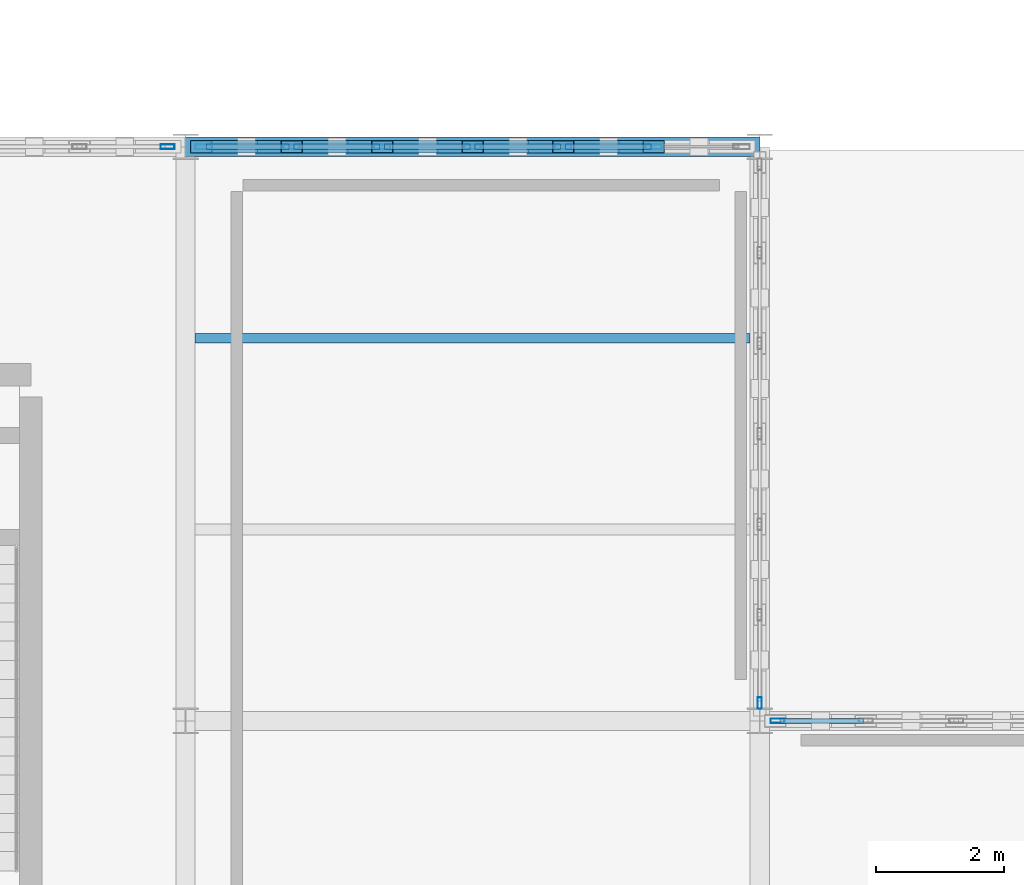
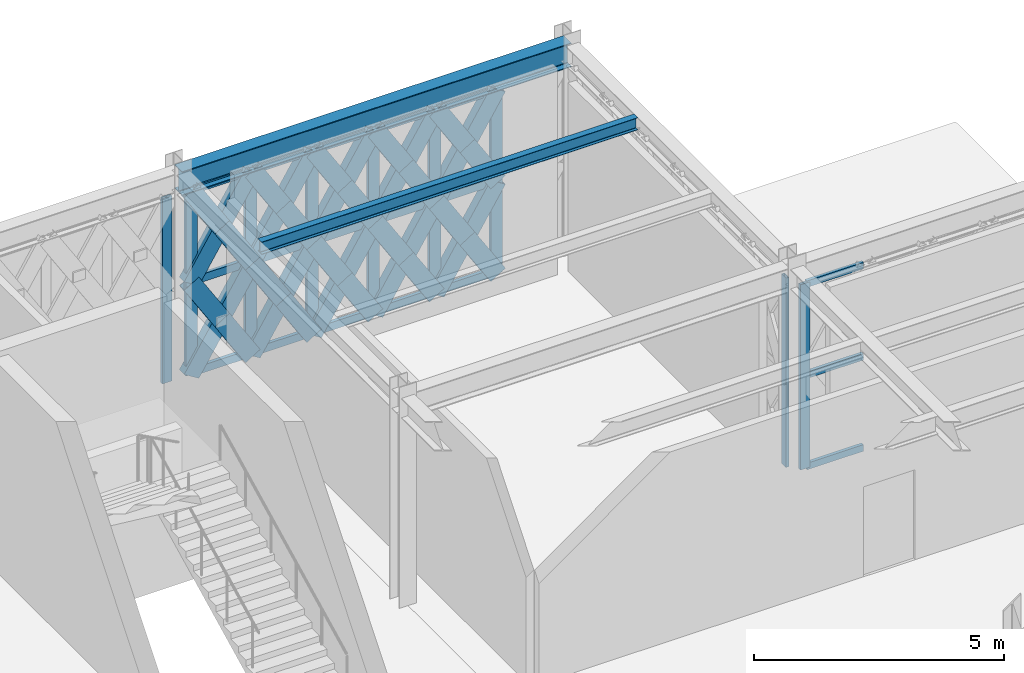
# One storey, part 96 of 140: 57 members, 2 beams, 4 elements without a shape of their own.
"""IFC4 building model written with IfcOpenShell, lengths in metres."""

from ifc_helpers import new_model, si_unit, direction, frame, origin, origin_2d, place, context, subcontext, project, spatial, hollow_rectangle, i_section, extrude, material, material_profile, profile_set, type_object, element, aggregate, save


model = new_model("IFC4")

# Units and contexts
model_context = context("Model", 3, precision=1e-05, world=origin(), true_north=direction((0.0, 1.0)))
body_context = subcontext(model_context, "Body", "Model", "MODEL_VIEW")
ifc_project = project(units=[si_unit("LENGTHUNIT", "METRE"), si_unit("AREAUNIT", "SQUARE_METRE"), si_unit("VOLUMEUNIT", "CUBIC_METRE"), si_unit("PLANEANGLEUNIT", "RADIAN"), si_unit("MASSUNIT", "GRAM", prefix="KILO")], contexts=[model_context])

# Site, building, storey
site_placement = place(None, origin())
site = spatial("IfcSite", under=ifc_project, at=site_placement, CompositionType="ELEMENT")
building_placement = place(site_placement, origin())
building = spatial("IfcBuilding", under=site, at=building_placement, Name="Haizhuo Lancet Aquarium", CompositionType="ELEMENT")
storey_placement = place(building_placement, origin())
storey = spatial("IfcBuildingStorey", under=building, at=storey_placement, Name="L00", CompositionType="ELEMENT", Elevation=0.0)

# Beam
ifc_material_1 = material(Name="Steel S355", Category="steel")
ifc_material_profile_1 = material_profile(ifc_material_1, i_section(OverallWidth=0.300048828125, OverallDepth=0.587890625, WebThickness=0.011962890625, FlangeThickness=0.02001953125, FilletRadius=0.02587890625, at=origin_2d()), Name="HM 588x300x12x20")
ifc_profile_set_1 = profile_set([ifc_material_profile_1], Name="Steel S355")
beam_type_1 = type_object("IfcBeamType", Name="BM-ST-HM588", PredefinedType="BEAM", material=ifc_profile_set_1)
beam_1_placement = place(storey_placement, frame((54.0, 36.0, 4.825927734375), z_axis=(1.0, 0.0, 0.0), x_axis=(0.0, 1.0, 0.0)))
element("IfcBeam", 1, at=beam_1_placement, inside=storey, type_object=beam_type_1, Name="L00 V7 primary girder BM-L00-V7-017", PredefinedType="BEAM", context=body_context, shape_type="SweptSolid", body=[
    extrude(i_section(OverallWidth=0.300048828125, OverallDepth=0.587890625, WebThickness=0.011962890625, FlangeThickness=0.02001953125, FilletRadius=0.02587890625, at=origin_2d()), origin(), (0.0, 0.0, 1.0), 9.0),
])

# Curtain wall, member
ifc_material_2 = material(Name="Aluminium 6063-T6", Category="aluminium")
curtain_wall_type_1 = type_object("IfcCurtainWallType", Name="CWD-8510x4630", PredefinedType="NOTDEFINED", material=ifc_material_2)
curtain_wall_1_placement = place(storey_placement, origin())
curtain_wall_1 = element("IfcCurtainWall", 2, at=curtain_wall_1_placement, inside=storey, type_object=curtain_wall_type_1, Name="L00 curtain wall CW-V7-L00-274", PredefinedType="NOTDEFINED")
ifc_material_profile_2 = material_profile(ifc_material_2, hollow_rectangle(XDim=0.06494140625, YDim=0.179931640625, WallThickness=0.00390625, at=origin_2d()), Name="ALU-M 65x180x4")
ifc_profile_set_2 = profile_set([ifc_material_profile_2], Name="Aluminium 6063-T6")
member_type_1 = type_object("IfcMemberType", Name="CW-MUL-1", PredefinedType="MULLION", material=ifc_profile_set_2)
member_1_placement = place(storey_placement, frame((63.0, 27.278076171875, 0.0), z_axis=(0.0, 0.0, 1.0), x_axis=(1.0, 0.0, 0.0)))
member_1 = element("IfcMember", 3, at=member_1_placement, type_object=member_type_1, Name="CWD-85x46 mullion 7", PredefinedType="MULLION", context=body_context, shape_type="SweptSolid", body=[
    extrude(hollow_rectangle(XDim=0.06494140625, YDim=0.179931640625, WallThickness=0.00390625, at=origin_2d()), origin(), (0.0, 0.0, 1.0), 4.632080078125),
])
aggregate(curtain_wall_1, [member_1])

curtain_wall_type_2 = type_object("IfcCurtainWallType", Name="CWD-8510x4530", PredefinedType="NOTDEFINED", material=ifc_material_2)
curtain_wall_2_placement = place(storey_placement, origin())
curtain_wall_2 = element("IfcCurtainWall", 4, at=curtain_wall_2_placement, inside=storey, type_object=curtain_wall_type_2, Name="L00 curtain wall CW-V7-L00-272", PredefinedType="NOTDEFINED")
ifc_material_profile_3 = material_profile(ifc_material_2, hollow_rectangle(XDim=0.074951171875, YDim=0.219970703125, WallThickness=0.0048828125, at=origin_2d()), Name="ALU-M 75x220x5")
ifc_profile_set_3 = profile_set([ifc_material_profile_3], Name="Aluminium 6063-T6")
member_type_2 = type_object("IfcMemberType", Name="CW-MUL-2", PredefinedType="MULLION", material=ifc_profile_set_3)
member_2_placement = place(storey_placement, frame((53.718017578125, 36.0, 0.0), z_axis=(0.0, 0.0, 1.0), x_axis=(0.0, 1.0, 0.0)))
member_2 = element("IfcMember", 5, at=member_2_placement, type_object=member_type_2, Name="CWD-85x45 mullion 7", PredefinedType="MULLION", context=body_context, shape_type="SweptSolid", body=[
    extrude(hollow_rectangle(XDim=0.074951171875, YDim=0.219970703125, WallThickness=0.0048828125, at=origin_2d()), origin(), (0.0, 0.0, 1.0), 4.531982421875),
])
aggregate(curtain_wall_2, [member_2])

curtain_wall_3_placement = place(storey_placement, origin())
curtain_wall_3 = element("IfcCurtainWall", 6, at=curtain_wall_3_placement, inside=storey, type_object=curtain_wall_type_2, Name="L00 curtain wall CW-V7-L00-275", PredefinedType="NOTDEFINED")
member_3_placement = place(storey_placement, frame((63.281982421875, 27.0, 0.0), z_axis=(0.0, 0.0, 1.0), x_axis=(0.0, 1.0, 0.0)))
member_3 = element("IfcMember", 7, at=member_3_placement, type_object=member_type_2, Name="CWD-85x45 mullion 1", PredefinedType="MULLION", context=body_context, shape_type="SweptSolid", body=[
    extrude(hollow_rectangle(XDim=0.074951171875, YDim=0.219970703125, WallThickness=0.0048828125, at=origin_2d()), origin(), (0.0, 0.0, 1.0), 4.531982421875),
])

# Curtain wall, members
curtain_wall_4_placement = place(storey_placement, origin())
curtain_wall_4 = element("IfcCurtainWall", 8, at=curtain_wall_4_placement, inside=storey, type_object=curtain_wall_type_2, Name="L00 curtain wall CW-V7-L00-273", PredefinedType="NOTDEFINED")
ifc_material_profile_4 = material_profile(ifc_material_2, hollow_rectangle(XDim=0.080078125, YDim=0.260009765625, WallThickness=0.0048828125, at=origin_2d()), Name="ALU-M 80x260x5")
ifc_profile_set_4 = profile_set([ifc_material_profile_4], Name="Aluminium 6063-T6")
member_type_3 = type_object("IfcMemberType", Name="CW-MUL-3", PredefinedType="MULLION", material=ifc_profile_set_4)
member_4_placement = place(storey_placement, frame((54.284912109375, 36.0, 0.0), z_axis=(0.0, 0.0, 1.0), x_axis=(0.0, 1.0, 0.0)))
member_4 = element("IfcMember", 9, at=member_4_placement, type_object=member_type_3, Name="CWD-85x45 mullion 1", PredefinedType="MULLION", context=body_context, shape_type="SweptSolid", body=[
    extrude(hollow_rectangle(XDim=0.080078125, YDim=0.260009765625, WallThickness=0.0048828125, at=origin_2d()), origin(), (0.0, 0.0, 1.0), 4.531982421875),
])
member_5_placement = place(storey_placement, frame((55.6630859375, 36.0, 0.0), z_axis=(0.0, 0.0, 1.0), x_axis=(0.0, 1.0, 0.0)))
member_5 = element("IfcMember", 10, at=member_5_placement, type_object=member_type_3, Name="CWD-85x45 mullion 2", PredefinedType="MULLION", context=body_context, shape_type="SweptSolid", body=[
    extrude(hollow_rectangle(XDim=0.080078125, YDim=0.260009765625, WallThickness=0.0048828125, at=origin_2d()), origin(), (0.0, 0.0, 1.0), 4.531982421875),
])
member_6_placement = place(storey_placement, frame((57.08203125, 36.0, 0.0), z_axis=(0.0, 0.0, 1.0), x_axis=(0.0, 1.0, 0.0)))
member_6 = element("IfcMember", 11, at=member_6_placement, type_object=member_type_3, Name="CWD-85x45 mullion 3", PredefinedType="MULLION", context=body_context, shape_type="SweptSolid", body=[
    extrude(hollow_rectangle(XDim=0.080078125, YDim=0.260009765625, WallThickness=0.0048828125, at=origin_2d()), origin(), (0.0, 0.0, 1.0), 4.531982421875),
])
member_7_placement = place(storey_placement, frame((58.5, 36.0, 0.0), z_axis=(0.0, 0.0, 1.0), x_axis=(0.0, 1.0, 0.0)))
member_7 = element("IfcMember", 12, at=member_7_placement, type_object=member_type_3, Name="CWD-85x45 mullion 4", PredefinedType="MULLION", context=body_context, shape_type="SweptSolid", body=[
    extrude(hollow_rectangle(XDim=0.080078125, YDim=0.260009765625, WallThickness=0.0048828125, at=origin_2d()), origin(), (0.0, 0.0, 1.0), 4.531982421875),
])
member_8_placement = place(storey_placement, frame((59.91796875, 36.0, 0.0), z_axis=(0.0, 0.0, 1.0), x_axis=(0.0, 1.0, 0.0)))
member_8 = element("IfcMember", 13, at=member_8_placement, type_object=member_type_3, Name="CWD-85x45 mullion 5", PredefinedType="MULLION", context=body_context, shape_type="SweptSolid", body=[
    extrude(hollow_rectangle(XDim=0.080078125, YDim=0.260009765625, WallThickness=0.0048828125, at=origin_2d()), origin(), (0.0, 0.0, 1.0), 4.531982421875),
])
member_9_placement = place(storey_placement, frame((61.3369140625, 36.0, 0.0), z_axis=(0.0, 0.0, 1.0), x_axis=(0.0, 1.0, 0.0)))
member_9 = element("IfcMember", 14, at=member_9_placement, type_object=member_type_3, Name="CWD-85x45 mullion 6", PredefinedType="MULLION", context=body_context, shape_type="SweptSolid", body=[
    extrude(hollow_rectangle(XDim=0.080078125, YDim=0.260009765625, WallThickness=0.0048828125, at=origin_2d()), origin(), (0.0, 0.0, 1.0), 4.531982421875),
])

# Member
ifc_material_profile_5 = material_profile(ifc_material_2, hollow_rectangle(XDim=0.074951171875, YDim=0.159912109375, WallThickness=0.00390625, at=origin_2d()), Name="ALU-T 75x160x4")
ifc_profile_set_5 = profile_set([ifc_material_profile_5], Name="Aluminium 6063-T6")
member_type_4 = type_object("IfcMemberType", Name="CW-TRN-2", PredefinedType="NOTDEFINED", material=ifc_profile_set_5)
member_10_placement = place(storey_placement, frame((63.320068359375, 27.0, 0.037109375), z_axis=(1.0, 0.0, 0.0), x_axis=(0.0, 1.0, 0.0)))
member_10 = element("IfcMember", 15, at=member_10_placement, type_object=member_type_4, Name="CWD-85x45 transom 1.1", ObjectType="TRANSOM", PredefinedType="USERDEFINED", context=body_context, shape_type="SweptSolid", body=[
    extrude(hollow_rectangle(XDim=0.074951171875, YDim=0.159912109375, WallThickness=0.00390625, at=origin_2d()), origin(), (0.0, 0.0, 1.0), 1.305908203125),
])

member_11_placement = place(storey_placement, frame((63.320068359375, 27.0, 2.26611328125), z_axis=(1.0, 0.0, 0.0), x_axis=(0.0, 1.0, 0.0)))
member_11 = element("IfcMember", 16, at=member_11_placement, type_object=member_type_4, Name="CWD-85x45 transom 1.2", ObjectType="TRANSOM", PredefinedType="USERDEFINED", context=body_context, shape_type="SweptSolid", body=[
    extrude(hollow_rectangle(XDim=0.074951171875, YDim=0.159912109375, WallThickness=0.00390625, at=origin_2d()), origin(), (0.0, 0.0, 1.0), 1.305908203125),
])

member_12_placement = place(storey_placement, frame((63.320068359375, 27.0, 4.4951171875), z_axis=(1.0, 0.0, 0.0), x_axis=(0.0, 1.0, 0.0)))
member_12 = element("IfcMember", 17, at=member_12_placement, type_object=member_type_4, Name="CWD-85x45 transom 1.3", ObjectType="TRANSOM", PredefinedType="USERDEFINED", context=body_context, shape_type="SweptSolid", body=[
    extrude(hollow_rectangle(XDim=0.074951171875, YDim=0.159912109375, WallThickness=0.00390625, at=origin_2d()), origin(), (0.0, 0.0, 1.0), 1.305908203125),
])

aggregate(curtain_wall_3, [member_3, member_10, member_11, member_12])

ifc_material_profile_6 = material_profile(ifc_material_2, hollow_rectangle(XDim=0.080078125, YDim=0.18994140625, WallThickness=0.0048828125, at=origin_2d()), Name="ALU-T 80x190x5")
ifc_profile_set_6 = profile_set([ifc_material_profile_6], Name="Aluminium 6063-T6")
member_type_5 = type_object("IfcMemberType", Name="CW-TRN-3", PredefinedType="NOTDEFINED", material=ifc_profile_set_6)
member_13_placement = place(storey_placement, frame((54.324951171875, 36.0, 0.0400390625), z_axis=(1.0, 0.0, 0.0), x_axis=(0.0, 1.0, 0.0)))
member_13 = element("IfcMember", 18, at=member_13_placement, type_object=member_type_5, Name="CWD-85x45 transom 1.1", ObjectType="TRANSOM", PredefinedType="USERDEFINED", context=body_context, shape_type="SweptSolid", body=[
    extrude(hollow_rectangle(XDim=0.080078125, YDim=0.18994140625, WallThickness=0.0048828125, at=origin_2d()), origin(), (0.0, 0.0, 1.0), 1.298095703125),
])

member_14_placement = place(storey_placement, frame((54.324951171875, 36.0, 2.26611328125), z_axis=(1.0, 0.0, 0.0), x_axis=(0.0, 1.0, 0.0)))
member_14 = element("IfcMember", 19, at=member_14_placement, type_object=member_type_5, Name="CWD-85x45 transom 1.2", ObjectType="TRANSOM", PredefinedType="USERDEFINED", context=body_context, shape_type="SweptSolid", body=[
    extrude(hollow_rectangle(XDim=0.080078125, YDim=0.18994140625, WallThickness=0.0048828125, at=origin_2d()), origin(), (0.0, 0.0, 1.0), 1.298095703125),
])

member_15_placement = place(storey_placement, frame((54.324951171875, 36.0, 4.491943359375), z_axis=(1.0, 0.0, 0.0), x_axis=(0.0, 1.0, 0.0)))
member_15 = element("IfcMember", 20, at=member_15_placement, type_object=member_type_5, Name="CWD-85x45 transom 1.3", ObjectType="TRANSOM", PredefinedType="USERDEFINED", context=body_context, shape_type="SweptSolid", body=[
    extrude(hollow_rectangle(XDim=0.080078125, YDim=0.18994140625, WallThickness=0.0048828125, at=origin_2d()), origin(), (0.0, 0.0, 1.0), 1.298095703125),
])

member_16_placement = place(storey_placement, frame((55.702880859375, 36.0, 0.0400390625), z_axis=(1.0, 0.0, 0.0), x_axis=(0.0, 1.0, 0.0)))
member_16 = element("IfcMember", 21, at=member_16_placement, type_object=member_type_5, Name="CWD-85x45 transom 2.1", ObjectType="TRANSOM", PredefinedType="USERDEFINED", context=body_context, shape_type="SweptSolid", body=[
    extrude(hollow_rectangle(XDim=0.080078125, YDim=0.18994140625, WallThickness=0.0048828125, at=origin_2d()), origin(), (0.0, 0.0, 1.0), 1.339111328125),
])

member_17_placement = place(storey_placement, frame((55.702880859375, 36.0, 2.26611328125), z_axis=(1.0, 0.0, 0.0), x_axis=(0.0, 1.0, 0.0)))
member_17 = element("IfcMember", 22, at=member_17_placement, type_object=member_type_5, Name="CWD-85x45 transom 2.2", ObjectType="TRANSOM", PredefinedType="USERDEFINED", context=body_context, shape_type="SweptSolid", body=[
    extrude(hollow_rectangle(XDim=0.080078125, YDim=0.18994140625, WallThickness=0.0048828125, at=origin_2d()), origin(), (0.0, 0.0, 1.0), 1.339111328125),
])

member_18_placement = place(storey_placement, frame((55.702880859375, 36.0, 4.491943359375), z_axis=(1.0, 0.0, 0.0), x_axis=(0.0, 1.0, 0.0)))
member_18 = element("IfcMember", 23, at=member_18_placement, type_object=member_type_5, Name="CWD-85x45 transom 2.3", ObjectType="TRANSOM", PredefinedType="USERDEFINED", context=body_context, shape_type="SweptSolid", body=[
    extrude(hollow_rectangle(XDim=0.080078125, YDim=0.18994140625, WallThickness=0.0048828125, at=origin_2d()), origin(), (0.0, 0.0, 1.0), 1.339111328125),
])

member_19_placement = place(storey_placement, frame((57.1220703125, 36.0, 0.0400390625), z_axis=(1.0, 0.0, 0.0), x_axis=(0.0, 1.0, 0.0)))
member_19 = element("IfcMember", 24, at=member_19_placement, type_object=member_type_5, Name="CWD-85x45 transom 3.1", ObjectType="TRANSOM", PredefinedType="USERDEFINED", context=body_context, shape_type="SweptSolid", body=[
    extrude(hollow_rectangle(XDim=0.080078125, YDim=0.18994140625, WallThickness=0.0048828125, at=origin_2d()), origin(), (0.0, 0.0, 1.0), 1.337890625),
])

member_20_placement = place(storey_placement, frame((57.1220703125, 36.0, 2.26611328125), z_axis=(1.0, 0.0, 0.0), x_axis=(0.0, 1.0, 0.0)))
member_20 = element("IfcMember", 25, at=member_20_placement, type_object=member_type_5, Name="CWD-85x45 transom 3.2", ObjectType="TRANSOM", PredefinedType="USERDEFINED", context=body_context, shape_type="SweptSolid", body=[
    extrude(hollow_rectangle(XDim=0.080078125, YDim=0.18994140625, WallThickness=0.0048828125, at=origin_2d()), origin(), (0.0, 0.0, 1.0), 1.337890625),
])

member_21_placement = place(storey_placement, frame((57.1220703125, 36.0, 4.491943359375), z_axis=(1.0, 0.0, 0.0), x_axis=(0.0, 1.0, 0.0)))
member_21 = element("IfcMember", 26, at=member_21_placement, type_object=member_type_5, Name="CWD-85x45 transom 3.3", ObjectType="TRANSOM", PredefinedType="USERDEFINED", context=body_context, shape_type="SweptSolid", body=[
    extrude(hollow_rectangle(XDim=0.080078125, YDim=0.18994140625, WallThickness=0.0048828125, at=origin_2d()), origin(), (0.0, 0.0, 1.0), 1.337890625),
])

member_22_placement = place(storey_placement, frame((58.5400390625, 36.0, 0.0400390625), z_axis=(1.0, 0.0, 0.0), x_axis=(0.0, 1.0, 0.0)))
member_22 = element("IfcMember", 27, at=member_22_placement, type_object=member_type_5, Name="CWD-85x45 transom 4.1", ObjectType="TRANSOM", PredefinedType="USERDEFINED", context=body_context, shape_type="SweptSolid", body=[
    extrude(hollow_rectangle(XDim=0.080078125, YDim=0.18994140625, WallThickness=0.0048828125, at=origin_2d()), origin(), (0.0, 0.0, 1.0), 1.337890625),
])

member_23_placement = place(storey_placement, frame((58.5400390625, 36.0, 2.26611328125), z_axis=(1.0, 0.0, 0.0), x_axis=(0.0, 1.0, 0.0)))
member_23 = element("IfcMember", 28, at=member_23_placement, type_object=member_type_5, Name="CWD-85x45 transom 4.2", ObjectType="TRANSOM", PredefinedType="USERDEFINED", context=body_context, shape_type="SweptSolid", body=[
    extrude(hollow_rectangle(XDim=0.080078125, YDim=0.18994140625, WallThickness=0.0048828125, at=origin_2d()), origin(), (0.0, 0.0, 1.0), 1.337890625),
])

member_24_placement = place(storey_placement, frame((58.5400390625, 36.0, 4.491943359375), z_axis=(1.0, 0.0, 0.0), x_axis=(0.0, 1.0, 0.0)))
member_24 = element("IfcMember", 29, at=member_24_placement, type_object=member_type_5, Name="CWD-85x45 transom 4.3", ObjectType="TRANSOM", PredefinedType="USERDEFINED", context=body_context, shape_type="SweptSolid", body=[
    extrude(hollow_rectangle(XDim=0.080078125, YDim=0.18994140625, WallThickness=0.0048828125, at=origin_2d()), origin(), (0.0, 0.0, 1.0), 1.337890625),
])

member_25_placement = place(storey_placement, frame((59.9580078125, 36.0, 0.0400390625), z_axis=(1.0, 0.0, 0.0), x_axis=(0.0, 1.0, 0.0)))
member_25 = element("IfcMember", 30, at=member_25_placement, type_object=member_type_5, Name="CWD-85x45 transom 5.1", ObjectType="TRANSOM", PredefinedType="USERDEFINED", context=body_context, shape_type="SweptSolid", body=[
    extrude(hollow_rectangle(XDim=0.080078125, YDim=0.18994140625, WallThickness=0.0048828125, at=origin_2d()), origin(), (0.0, 0.0, 1.0), 1.339111328125),
])

member_26_placement = place(storey_placement, frame((59.9580078125, 36.0, 2.26611328125), z_axis=(1.0, 0.0, 0.0), x_axis=(0.0, 1.0, 0.0)))
member_26 = element("IfcMember", 31, at=member_26_placement, type_object=member_type_5, Name="CWD-85x45 transom 5.2", ObjectType="TRANSOM", PredefinedType="USERDEFINED", context=body_context, shape_type="SweptSolid", body=[
    extrude(hollow_rectangle(XDim=0.080078125, YDim=0.18994140625, WallThickness=0.0048828125, at=origin_2d()), origin(), (0.0, 0.0, 1.0), 1.339111328125),
])

member_27_placement = place(storey_placement, frame((59.9580078125, 36.0, 4.491943359375), z_axis=(1.0, 0.0, 0.0), x_axis=(0.0, 1.0, 0.0)))
member_27 = element("IfcMember", 32, at=member_27_placement, type_object=member_type_5, Name="CWD-85x45 transom 5.3", ObjectType="TRANSOM", PredefinedType="USERDEFINED", context=body_context, shape_type="SweptSolid", body=[
    extrude(hollow_rectangle(XDim=0.080078125, YDim=0.18994140625, WallThickness=0.0048828125, at=origin_2d()), origin(), (0.0, 0.0, 1.0), 1.339111328125),
])

aggregate(curtain_wall_4, [member_4, member_5, member_6, member_7, member_8, member_9, member_13, member_14, member_15, member_16, member_17, member_18, member_19, member_20, member_21, member_22, member_23, member_24, member_25, member_26, member_27])

# Beam
ifc_material_profile_7 = material_profile(ifc_material_1, i_section(OverallWidth=0.14990234375, OverallDepth=0.300048828125, WebThickness=0.006591796875, FlangeThickness=0.009033203125, FilletRadius=0.012939453125, at=origin_2d()), Name="HN 300x150x6.5x9")
ifc_profile_set_7 = profile_set([ifc_material_profile_7], Name="Steel S355")
beam_type_2 = type_object("IfcBeamType", Name="JST-ST-HN300", PredefinedType="JOIST", material=ifc_profile_set_7)
beam_2_placement = place(storey_placement, frame((54.14990234375, 33.0, 4.969970703125), z_axis=(1.0, 0.0, 0.0), x_axis=(0.0, 1.0, 0.0)))
element("IfcBeam", 33, at=beam_2_placement, inside=storey, type_object=beam_type_2, Name="L00 V7 secondary floor joist 8", PredefinedType="JOIST", context=body_context, shape_type="SweptSolid", body=[
    extrude(i_section(OverallWidth=0.14990234375, OverallDepth=0.300048828125, WebThickness=0.006591796875, FlangeThickness=0.009033203125, FilletRadius=0.012939453125, at=origin_2d()), origin(), (0.0, 0.0, 1.0), 8.7001953125),
])

# Members
ifc_material_profile_8 = material_profile(ifc_material_1, hollow_rectangle(XDim=0.199951171875, YDim=0.39990234375, WallThickness=0.011962890625, at=origin_2d()), Name="RHS 200x400x12")
ifc_profile_set_8 = profile_set([ifc_material_profile_8], Name="Steel S355")
member_type_6 = type_object("IfcMemberType", Name="MEM-LB-RHS200x400", PredefinedType="BRACE", material=ifc_profile_set_8)
member_28_placement = place(storey_placement, frame((54.2451171875, 36.0, 0.0), z_axis=(0.530442175185, 0.0, 0.847721120879), x_axis=(0.0, 1.0, 0.0)))
element("IfcMember", 34, at=member_28_placement, inside=storey, type_object=member_type_6, Name="Gothic lancet continuous diagonal brace CW-V7-L00-273 1A", PredefinedType="BRACE", context=body_context, shape_type="SweptSolid", body=[
    extrude(hollow_rectangle(XDim=0.199951171875, YDim=0.39990234375, WallThickness=0.011962890625, at=origin_2d()), origin(), (0.0, 0.0, 1.0), 2.673095703125),
])
for number, where, z_axis, x_axis, name in (
    (35, (55.6630859375, 36.0, 0.0), (-0.530442175185, 0.0, 0.847721120879), (0.0, -1.0, 0.0), "Gothic lancet split diagonal brace CW-V7-L00-273 1B1"),
    (36, (54.9541015625, 36.0, 1.133056640625), (-0.530442175185, 0.0, 0.847721120879), (0.0, -1.0, 0.0), "Gothic lancet split diagonal brace CW-V7-L00-273 1B2"),
):
    element("IfcMember", number, at=place(storey_placement, frame(where, z_axis=z_axis, x_axis=x_axis)), inside=storey, type_object=member_type_6, Name=name, PredefinedType="BRACE", context=body_context, shape_type="SweptSolid", body=[
        extrude(hollow_rectangle(XDim=0.199951171875, YDim=0.39990234375, WallThickness=0.011962890625, at=origin_2d()), origin(), (0.0, 0.0, 1.0), 1.336669921875),
    ])
member_29_placement = place(storey_placement, frame((54.2451171875, 36.0, 2.26611328125), z_axis=(0.530483245642, 0.0, 0.847695420592), x_axis=(0.0, 1.0, 0.0)))
element("IfcMember", 37, at=member_29_placement, inside=storey, type_object=member_type_6, Name="Gothic lancet continuous diagonal brace CW-V7-L00-273 2A", PredefinedType="BRACE", context=body_context, shape_type="SweptSolid", body=[
    extrude(hollow_rectangle(XDim=0.199951171875, YDim=0.39990234375, WallThickness=0.011962890625, at=origin_2d()), origin(), (0.0, 0.0, 1.0), 2.673095703125),
])
member_30_placement = place(storey_placement, frame((55.6630859375, 36.0, 2.26611328125), z_axis=(-0.530524321213, 0.0, 0.847669714335), x_axis=(0.0, -1.0, 0.0)))
element("IfcMember", 38, at=member_30_placement, inside=storey, type_object=member_type_6, Name="Gothic lancet split diagonal brace CW-V7-L00-273 2B1", PredefinedType="BRACE", context=body_context, shape_type="SweptSolid", body=[
    extrude(hollow_rectangle(XDim=0.199951171875, YDim=0.39990234375, WallThickness=0.011962890625, at=origin_2d()), origin(), (0.0, 0.0, 1.0), 1.33642578125),
])
member_31_placement = place(storey_placement, frame((54.9541015625, 36.0, 3.39892578125), z_axis=(-0.530442175185, 0.0, 0.847721120879), x_axis=(0.0, -1.0, 0.0)))
element("IfcMember", 39, at=member_31_placement, inside=storey, type_object=member_type_6, Name="Gothic lancet split diagonal brace CW-V7-L00-273 2B2", PredefinedType="BRACE", context=body_context, shape_type="SweptSolid", body=[
    extrude(hollow_rectangle(XDim=0.199951171875, YDim=0.39990234375, WallThickness=0.011962890625, at=origin_2d()), origin(), (0.0, 0.0, 1.0), 1.336669921875),
])
member_32_placement = place(storey_placement, frame((55.6630859375, 36.0, 0.0), z_axis=(0.530704627976, 0.0, 0.84755684048), x_axis=(0.0, 1.0, 0.0)))
element("IfcMember", 40, at=member_32_placement, inside=storey, type_object=member_type_6, Name="Gothic lancet continuous diagonal brace CW-V7-L00-273 3A", PredefinedType="BRACE", context=body_context, shape_type="SweptSolid", body=[
    extrude(hollow_rectangle(XDim=0.199951171875, YDim=0.39990234375, WallThickness=0.011962890625, at=origin_2d()), origin(), (0.0, 0.0, 1.0), 2.673583984375),
])
member_33_placement = place(storey_placement, frame((57.08203125, 36.0, 0.0), z_axis=(-0.530442175185, 0.0, 0.847721120879), x_axis=(0.0, -1.0, 0.0)))
element("IfcMember", 41, at=member_33_placement, inside=storey, type_object=member_type_6, Name="Gothic lancet split diagonal brace CW-V7-L00-273 3B1", PredefinedType="BRACE", context=body_context, shape_type="SweptSolid", body=[
    extrude(hollow_rectangle(XDim=0.199951171875, YDim=0.39990234375, WallThickness=0.011962890625, at=origin_2d()), origin(), (0.0, 0.0, 1.0), 1.336669921875),
])
member_34_placement = place(storey_placement, frame((56.373046875, 36.0, 1.133056640625), z_axis=(-0.530966928191, 0.0, 0.847392542549), x_axis=(0.0, -1.0, 0.0)))
element("IfcMember", 42, at=member_34_placement, inside=storey, type_object=member_type_6, Name="Gothic lancet split diagonal brace CW-V7-L00-273 3B2", PredefinedType="BRACE", context=body_context, shape_type="SweptSolid", body=[
    extrude(hollow_rectangle(XDim=0.199951171875, YDim=0.39990234375, WallThickness=0.011962890625, at=origin_2d()), origin(), (0.0, 0.0, 1.0), 1.337158203125),
])
member_35_placement = place(storey_placement, frame((55.6630859375, 36.0, 2.26611328125), z_axis=(0.530745702827, 0.0, 0.847531119742), x_axis=(0.0, 1.0, 0.0)))
element("IfcMember", 43, at=member_35_placement, inside=storey, type_object=member_type_6, Name="Gothic lancet continuous diagonal brace CW-V7-L00-273 4A", PredefinedType="BRACE", context=body_context, shape_type="SweptSolid", body=[
    extrude(hollow_rectangle(XDim=0.199951171875, YDim=0.39990234375, WallThickness=0.011962890625, at=origin_2d()), origin(), (0.0, 0.0, 1.0), 2.673583984375),
])
member_36_placement = place(storey_placement, frame((57.08203125, 36.0, 2.26611328125), z_axis=(-0.530524321213, 0.0, 0.847669714335), x_axis=(0.0, -1.0, 0.0)))
element("IfcMember", 44, at=member_36_placement, inside=storey, type_object=member_type_6, Name="Gothic lancet split diagonal brace CW-V7-L00-273 4B1", PredefinedType="BRACE", context=body_context, shape_type="SweptSolid", body=[
    extrude(hollow_rectangle(XDim=0.199951171875, YDim=0.39990234375, WallThickness=0.011962890625, at=origin_2d()), origin(), (0.0, 0.0, 1.0), 1.33642578125),
])
member_37_placement = place(storey_placement, frame((56.373046875, 36.0, 3.39892578125), z_axis=(-0.530966928191, 0.0, 0.847392542549), x_axis=(0.0, -1.0, 0.0)))
element("IfcMember", 45, at=member_37_placement, inside=storey, type_object=member_type_6, Name="Gothic lancet split diagonal brace CW-V7-L00-273 4B2", PredefinedType="BRACE", context=body_context, shape_type="SweptSolid", body=[
    extrude(hollow_rectangle(XDim=0.199951171875, YDim=0.39990234375, WallThickness=0.011962890625, at=origin_2d()), origin(), (0.0, 0.0, 1.0), 1.337158203125),
])
member_38_placement = place(storey_placement, frame((57.08203125, 36.0, 0.0), z_axis=(0.530442175185, 0.0, 0.847721120879), x_axis=(0.0, 1.0, 0.0)))
element("IfcMember", 46, at=member_38_placement, inside=storey, type_object=member_type_6, Name="Gothic lancet continuous diagonal brace CW-V7-L00-273 5A", PredefinedType="BRACE", context=body_context, shape_type="SweptSolid", body=[
    extrude(hollow_rectangle(XDim=0.199951171875, YDim=0.39990234375, WallThickness=0.011962890625, at=origin_2d()), origin(), (0.0, 0.0, 1.0), 2.673095703125),
])
for number, where, z_axis, x_axis, name in (
    (47, (58.5, 36.0, 0.0), (-0.530442175185, 0.0, 0.847721120879), (0.0, -1.0, 0.0), "Gothic lancet split diagonal brace CW-V7-L00-273 5B1"),
    (48, (57.791015625, 36.0, 1.133056640625), (-0.530442175185, 0.0, 0.847721120879), (0.0, -1.0, 0.0), "Gothic lancet split diagonal brace CW-V7-L00-273 5B2"),
):
    element("IfcMember", number, at=place(storey_placement, frame(where, z_axis=z_axis, x_axis=x_axis)), inside=storey, type_object=member_type_6, Name=name, PredefinedType="BRACE", context=body_context, shape_type="SweptSolid", body=[
        extrude(hollow_rectangle(XDim=0.199951171875, YDim=0.39990234375, WallThickness=0.011962890625, at=origin_2d()), origin(), (0.0, 0.0, 1.0), 1.336669921875),
    ])
member_39_placement = place(storey_placement, frame((57.08203125, 36.0, 2.26611328125), z_axis=(0.530483245642, 0.0, 0.847695420592), x_axis=(0.0, 1.0, 0.0)))
element("IfcMember", 49, at=member_39_placement, inside=storey, type_object=member_type_6, Name="Gothic lancet continuous diagonal brace CW-V7-L00-273 6A", PredefinedType="BRACE", context=body_context, shape_type="SweptSolid", body=[
    extrude(hollow_rectangle(XDim=0.199951171875, YDim=0.39990234375, WallThickness=0.011962890625, at=origin_2d()), origin(), (0.0, 0.0, 1.0), 2.673095703125),
])
member_40_placement = place(storey_placement, frame((58.5, 36.0, 2.26611328125), z_axis=(-0.530524321213, 0.0, 0.847669714335), x_axis=(0.0, -1.0, 0.0)))
element("IfcMember", 50, at=member_40_placement, inside=storey, type_object=member_type_6, Name="Gothic lancet split diagonal brace CW-V7-L00-273 6B1", PredefinedType="BRACE", context=body_context, shape_type="SweptSolid", body=[
    extrude(hollow_rectangle(XDim=0.199951171875, YDim=0.39990234375, WallThickness=0.011962890625, at=origin_2d()), origin(), (0.0, 0.0, 1.0), 1.33642578125),
])
member_41_placement = place(storey_placement, frame((57.791015625, 36.0, 3.39892578125), z_axis=(-0.530442175185, 0.0, 0.847721120879), x_axis=(0.0, -1.0, 0.0)))
element("IfcMember", 51, at=member_41_placement, inside=storey, type_object=member_type_6, Name="Gothic lancet split diagonal brace CW-V7-L00-273 6B2", PredefinedType="BRACE", context=body_context, shape_type="SweptSolid", body=[
    extrude(hollow_rectangle(XDim=0.199951171875, YDim=0.39990234375, WallThickness=0.011962890625, at=origin_2d()), origin(), (0.0, 0.0, 1.0), 1.336669921875),
])
member_42_placement = place(storey_placement, frame((58.5, 36.0, 0.0), z_axis=(0.530442175185, 0.0, 0.847721120879), x_axis=(0.0, 1.0, 0.0)))
element("IfcMember", 52, at=member_42_placement, inside=storey, type_object=member_type_6, Name="Gothic lancet continuous diagonal brace CW-V7-L00-273 7A", PredefinedType="BRACE", context=body_context, shape_type="SweptSolid", body=[
    extrude(hollow_rectangle(XDim=0.199951171875, YDim=0.39990234375, WallThickness=0.011962890625, at=origin_2d()), origin(), (0.0, 0.0, 1.0), 2.673095703125),
])
for number, where, z_axis, x_axis, name in (
    (53, (59.91796875, 36.0, 0.0), (-0.530442175185, 0.0, 0.847721120879), (0.0, -1.0, 0.0), "Gothic lancet split diagonal brace CW-V7-L00-273 7B1"),
    (54, (59.208984375, 36.0, 1.133056640625), (-0.530442175185, 0.0, 0.847721120879), (0.0, -1.0, 0.0), "Gothic lancet split diagonal brace CW-V7-L00-273 7B2"),
):
    element("IfcMember", number, at=place(storey_placement, frame(where, z_axis=z_axis, x_axis=x_axis)), inside=storey, type_object=member_type_6, Name=name, PredefinedType="BRACE", context=body_context, shape_type="SweptSolid", body=[
        extrude(hollow_rectangle(XDim=0.199951171875, YDim=0.39990234375, WallThickness=0.011962890625, at=origin_2d()), origin(), (0.0, 0.0, 1.0), 1.336669921875),
    ])
member_43_placement = place(storey_placement, frame((58.5, 36.0, 2.26611328125), z_axis=(0.530483245642, 0.0, 0.847695420592), x_axis=(0.0, 1.0, 0.0)))
element("IfcMember", 55, at=member_43_placement, inside=storey, type_object=member_type_6, Name="Gothic lancet continuous diagonal brace CW-V7-L00-273 8A", PredefinedType="BRACE", context=body_context, shape_type="SweptSolid", body=[
    extrude(hollow_rectangle(XDim=0.199951171875, YDim=0.39990234375, WallThickness=0.011962890625, at=origin_2d()), origin(), (0.0, 0.0, 1.0), 2.673095703125),
])
member_44_placement = place(storey_placement, frame((59.91796875, 36.0, 2.26611328125), z_axis=(-0.530524321213, 0.0, 0.847669714335), x_axis=(0.0, -1.0, 0.0)))
element("IfcMember", 56, at=member_44_placement, inside=storey, type_object=member_type_6, Name="Gothic lancet split diagonal brace CW-V7-L00-273 8B1", PredefinedType="BRACE", context=body_context, shape_type="SweptSolid", body=[
    extrude(hollow_rectangle(XDim=0.199951171875, YDim=0.39990234375, WallThickness=0.011962890625, at=origin_2d()), origin(), (0.0, 0.0, 1.0), 1.33642578125),
])
member_45_placement = place(storey_placement, frame((59.208984375, 36.0, 3.39892578125), z_axis=(-0.530442175185, 0.0, 0.847721120879), x_axis=(0.0, -1.0, 0.0)))
element("IfcMember", 57, at=member_45_placement, inside=storey, type_object=member_type_6, Name="Gothic lancet split diagonal brace CW-V7-L00-273 8B2", PredefinedType="BRACE", context=body_context, shape_type="SweptSolid", body=[
    extrude(hollow_rectangle(XDim=0.199951171875, YDim=0.39990234375, WallThickness=0.011962890625, at=origin_2d()), origin(), (0.0, 0.0, 1.0), 1.336669921875),
])
member_46_placement = place(storey_placement, frame((59.91796875, 36.0, 0.0), z_axis=(0.530704627976, 0.0, 0.84755684048), x_axis=(0.0, 1.0, 0.0)))
element("IfcMember", 58, at=member_46_placement, inside=storey, type_object=member_type_6, Name="Gothic lancet continuous diagonal brace CW-V7-L00-273 9A", PredefinedType="BRACE", context=body_context, shape_type="SweptSolid", body=[
    extrude(hollow_rectangle(XDim=0.199951171875, YDim=0.39990234375, WallThickness=0.011962890625, at=origin_2d()), origin(), (0.0, 0.0, 1.0), 2.673583984375),
])
member_47_placement = place(storey_placement, frame((61.3369140625, 36.0, 0.0), z_axis=(-0.530966928191, 0.0, 0.847392542549), x_axis=(0.0, -1.0, 0.0)))
element("IfcMember", 59, at=member_47_placement, inside=storey, type_object=member_type_6, Name="Gothic lancet split diagonal brace CW-V7-L00-273 9B1", PredefinedType="BRACE", context=body_context, shape_type="SweptSolid", body=[
    extrude(hollow_rectangle(XDim=0.199951171875, YDim=0.39990234375, WallThickness=0.011962890625, at=origin_2d()), origin(), (0.0, 0.0, 1.0), 1.337158203125),
])
member_48_placement = place(storey_placement, frame((60.626953125, 36.0, 1.133056640625), z_axis=(-0.530442175185, 0.0, 0.847721120879), x_axis=(0.0, -1.0, 0.0)))
element("IfcMember", 60, at=member_48_placement, inside=storey, type_object=member_type_6, Name="Gothic lancet split diagonal brace CW-V7-L00-273 9B2", PredefinedType="BRACE", context=body_context, shape_type="SweptSolid", body=[
    extrude(hollow_rectangle(XDim=0.199951171875, YDim=0.39990234375, WallThickness=0.011962890625, at=origin_2d()), origin(), (0.0, 0.0, 1.0), 1.336669921875),
])
member_49_placement = place(storey_placement, frame((59.91796875, 36.0, 2.26611328125), z_axis=(0.530745702827, 0.0, 0.847531119742), x_axis=(0.0, 1.0, 0.0)))
element("IfcMember", 61, at=member_49_placement, inside=storey, type_object=member_type_6, Name="Gothic lancet continuous diagonal brace CW-V7-L00-273 10A", PredefinedType="BRACE", context=body_context, shape_type="SweptSolid", body=[
    extrude(hollow_rectangle(XDim=0.199951171875, YDim=0.39990234375, WallThickness=0.011962890625, at=origin_2d()), origin(), (0.0, 0.0, 1.0), 2.673583984375),
])
member_50_placement = place(storey_placement, frame((61.3369140625, 36.0, 2.26611328125), z_axis=(-0.531049091739, 0.0, 0.847341054218), x_axis=(0.0, -1.0, 0.0)))
element("IfcMember", 62, at=member_50_placement, inside=storey, type_object=member_type_6, Name="Gothic lancet split diagonal brace CW-V7-L00-273 10B1", PredefinedType="BRACE", context=body_context, shape_type="SweptSolid", body=[
    extrude(hollow_rectangle(XDim=0.199951171875, YDim=0.39990234375, WallThickness=0.011962890625, at=origin_2d()), origin(), (0.0, 0.0, 1.0), 1.3369140625),
])
member_51_placement = place(storey_placement, frame((60.626953125, 36.0, 3.39892578125), z_axis=(-0.530442175185, 0.0, 0.847721120879), x_axis=(0.0, -1.0, 0.0)))
element("IfcMember", 63, at=member_51_placement, inside=storey, type_object=member_type_6, Name="Gothic lancet split diagonal brace CW-V7-L00-273 10B2", PredefinedType="BRACE", context=body_context, shape_type="SweptSolid", body=[
    extrude(hollow_rectangle(XDim=0.199951171875, YDim=0.39990234375, WallThickness=0.011962890625, at=origin_2d()), origin(), (0.0, 0.0, 1.0), 1.336669921875),
])

save(model, "model.ifc")
